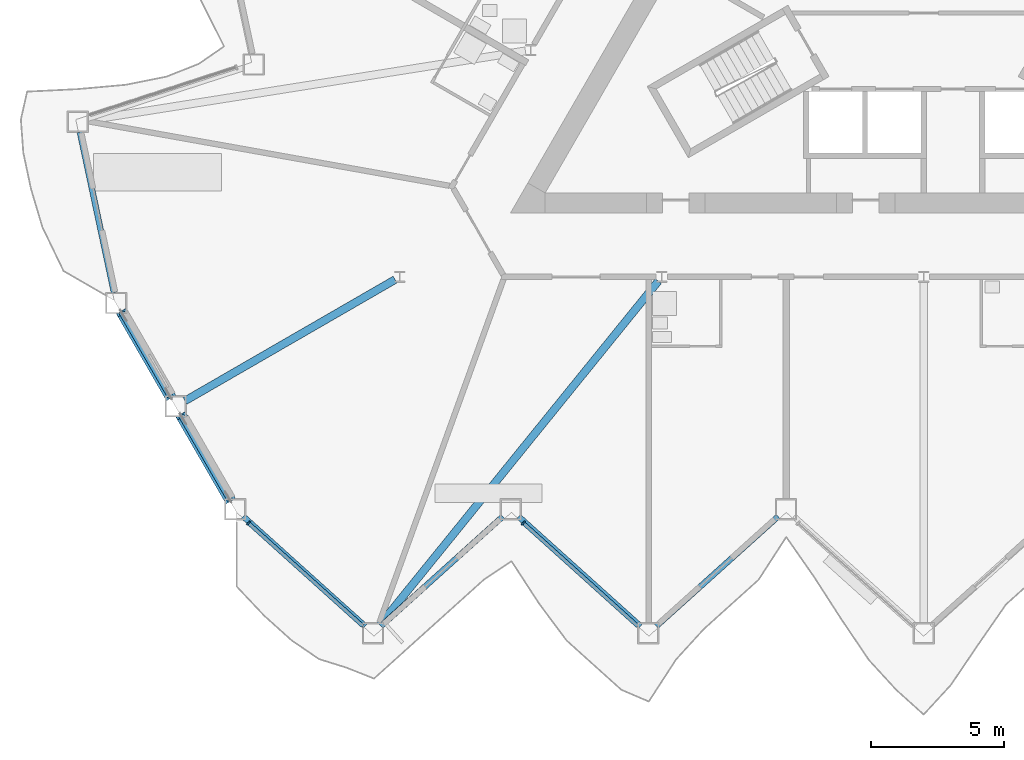
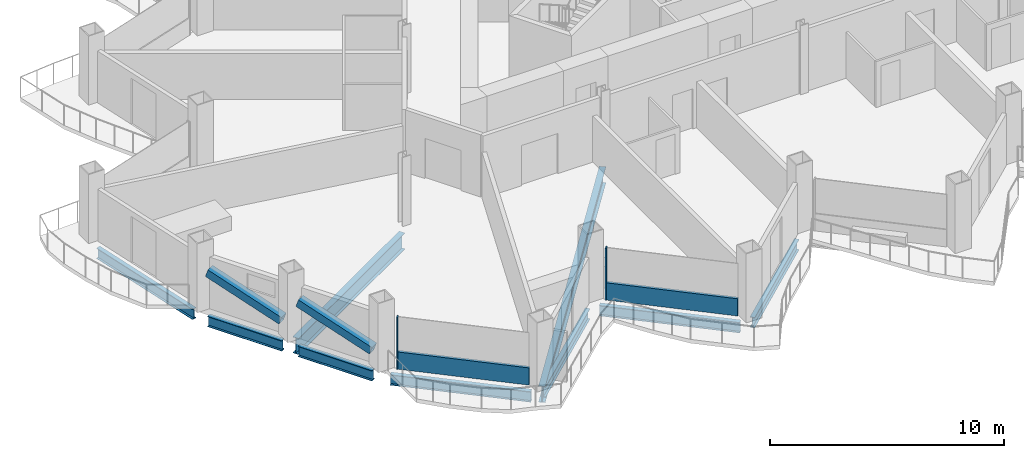
# One storey, part 3 of 23: 9 beams, 6 members, 2 elements without a shape of their own.
"""IFC4 building model written with IfcOpenShell, lengths in metres."""

from ifc_helpers import new_model, si_unit, direction, frame, origin, origin_2d, place, context, subcontext, project, spatial, rectangle, hollow_rectangle, i_section, extrude, material, layer, layer_set, material_profile, profile_set, type_object, element, aggregate, save


model = new_model("IFC4")

# Units and contexts
model_context = context("Model", 3, precision=1e-05, world=origin(), true_north=direction((0.0, 1.0)))
body_context = subcontext(model_context, "Body", "Model", "MODEL_VIEW")
ifc_project = project(units=[si_unit("LENGTHUNIT", "METRE"), si_unit("AREAUNIT", "SQUARE_METRE"), si_unit("VOLUMEUNIT", "CUBIC_METRE"), si_unit("PLANEANGLEUNIT", "RADIAN"), si_unit("MASSUNIT", "GRAM", prefix="KILO")], contexts=[model_context])

# Site, building, storey
site_placement = place(None, origin())
site = spatial("IfcSite", under=ifc_project, at=site_placement, CompositionType="ELEMENT")
building_placement = place(site_placement, origin())
building = spatial("IfcBuilding", under=site, at=building_placement, Name="Cormorant Prow Tower", CompositionType="ELEMENT")
storey_placement = place(building_placement, frame((0.0, 0.0, 212.39990234375)))
storey = spatial("IfcBuildingStorey", under=building, at=storey_placement, Name="L47", CompositionType="ELEMENT", Elevation=212.39990234375)

# Members
ifc_material_1 = material(Name="Structural steel ASTM A500 Gr C", Category="steel")
ifc_material_profile_1 = material_profile(ifc_material_1, hollow_rectangle(XDim=0.406494140625, YDim=0.406494140625, WallThickness=0.01171875, at=origin_2d()), Name="HSS16x16x1/2")
ifc_profile_set_1 = profile_set([ifc_material_profile_1], Name="Structural steel ASTM A500 Gr C")
member_type_1 = type_object("IfcMemberType", Name="Chamfer brace HSS16x16x1/2", PredefinedType="BRACE", material=ifc_profile_set_1)
member_1_placement = place(storey_placement, frame((-28.267333984375, -15.838623046875, 0.740234375), z_axis=(-0.473992878603, 0.821006330213, 0.318244177926), x_axis=(-0.866032413668, -0.499987858329, 0.0)))
element("IfcMember", 1, at=member_1_placement, inside=storey, type_object=member_type_1, Name="Chamfer brace BR2 at WSW00 L47", PredefinedType="BRACE", context=body_context, shape_type="SweptSolid", body=[
    extrude(hollow_rectangle(XDim=0.406494140625, YDim=0.406494140625, WallThickness=0.01171875, at=origin_2d()), origin(), (0.0, 0.0, 1.0), 3.835693359375),
])
member_2_placement = place(storey_placement, frame((-26.0322265625, -19.7099609375, 0.740234375), z_axis=(-0.474017648602, 0.820985582338, 0.318260808783), x_axis=(-0.866015628144, -0.500016931523, 0.0)))
element("IfcMember", 2, at=member_2_placement, inside=storey, type_object=member_type_1, Name="Chamfer brace BR2 at WSW01 L47", PredefinedType="BRACE", context=body_context, shape_type="SweptSolid", body=[
    extrude(hollow_rectangle(XDim=0.406494140625, YDim=0.406494140625, WallThickness=0.01171875, at=origin_2d()), origin(), (0.0, 0.0, 1.0), 3.83544921875),
])

# Curtain wall, member
ifc_material_2 = material(Name="Aluminium 6063-T6", Category="aluminium")
ifc_layer = layer(ifc_material_2, 0.179931640625)
ifc_layer_set = layer_set([ifc_layer], Name="Aluminium 6063-T6")
curtain_wall_type = type_object("IfcCurtainWallType", Name="Hotel unitised curtain wall 180", PredefinedType="NOTDEFINED", material=ifc_layer_set)
curtain_wall_1_placement = place(storey_placement, origin())
curtain_wall_1 = element("IfcCurtainWall", 3, at=curtain_wall_1_placement, inside=storey, type_object=curtain_wall_type, Name="Hotel curtain wall S00", PredefinedType="NOTDEFINED")
ifc_material_3 = material(Name="Aluminium 6063-T6", Category="aluminium")
ifc_material_profile_2 = material_profile(ifc_material_3, rectangle(XDim=0.179931640625, YDim=0.06005859375, at=origin_2d()), Name="Hotel mullion 60x180")
ifc_profile_set_2 = profile_set([ifc_material_profile_2], Name="Aluminium 6063-T6")
member_type_2 = type_object("IfcMemberType", Name="Hotel mullion 60x180", PredefinedType="MULLION", material=ifc_profile_set_2)
member_3_placement = place(storey_placement, frame((-25.333740234375, -20.5849609375, 0.0), z_axis=(0.0, 0.0, 1.0), x_axis=(0.669130701561, 0.743144739757, 0.0)))
member_3 = element("IfcMember", 4, at=member_3_placement, type_object=member_type_2, Name="Hotel mullion S00", PredefinedType="MULLION", context=body_context, shape_type="SweptSolid", body=[
    extrude(rectangle(XDim=0.179931640625, YDim=0.06005859375, at=origin_2d()), origin(), (0.0, 0.0, 1.0), 2.700927734375),
])

curtain_wall_2_placement = place(storey_placement, origin())
curtain_wall_2 = element("IfcCurtainWall", 5, at=curtain_wall_2_placement, inside=storey, type_object=curtain_wall_type, Name="Hotel curtain wall S02", PredefinedType="NOTDEFINED")
member_4_placement = place(storey_placement, frame((-15.0224609375, -20.5849609375, 0.0), z_axis=(0.0, 0.0, 1.0), x_axis=(0.669130629874, 0.743144804304, 0.0)))
member_4 = element("IfcMember", 6, at=member_4_placement, type_object=member_type_2, Name="Hotel mullion S02", PredefinedType="MULLION", context=body_context, shape_type="SweptSolid", body=[
    extrude(rectangle(XDim=0.179931640625, YDim=0.06005859375, at=origin_2d()), origin(), (0.0, 0.0, 1.0), 2.700927734375),
])

# Member
ifc_material_4 = material(Name="Terracotta", Category="masonry")
ifc_material_profile_3 = material_profile(ifc_material_4, rectangle(XDim=0.139892578125, YDim=0.89990234375, at=origin_2d()), Name="Hotel terracotta spandrel rail 140x900")
ifc_profile_set_3 = profile_set([ifc_material_profile_3], Name="Terracotta")
member_type_3 = type_object("IfcMemberType", Name="Hotel terracotta spandrel rail 140x900", PredefinedType="USERDEFINED", material=ifc_profile_set_3)
member_5_placement = place(storey_placement, frame((-25.3115234375, -20.605224609375, 0.4501953125), z_axis=(0.743152468753, -0.669122117543, 0.0), x_axis=(0.669122117543, 0.743152468753, 0.0)))
member_5 = element("IfcMember", 7, at=member_5_placement, type_object=member_type_3, Name="Hotel spandrel rail S00", ObjectType="TRANSOM", PredefinedType="USERDEFINED", context=body_context, shape_type="SweptSolid", body=[
    extrude(rectangle(XDim=0.139892578125, YDim=0.89990234375, at=origin_2d()), origin(), (0.0, 0.0, 1.0), 5.741455078125),
])

aggregate(curtain_wall_1, [member_3, member_5])

member_6_placement = place(storey_placement, frame((-15.000244140625, -20.605224609375, 0.4501953125), z_axis=(0.743152468753, -0.669122117543, 0.0), x_axis=(0.669122117543, 0.743152468753, 0.0)))
member_6 = element("IfcMember", 8, at=member_6_placement, type_object=member_type_3, Name="Hotel spandrel rail S02", ObjectType="TRANSOM", PredefinedType="USERDEFINED", context=body_context, shape_type="SweptSolid", body=[
    extrude(rectangle(XDim=0.139892578125, YDim=0.89990234375, at=origin_2d()), origin(), (0.0, 0.0, 1.0), 5.741455078125),
])

aggregate(curtain_wall_2, [member_4, member_6])

# Beams
ifc_material_5 = material(Name="Structural steel ASTM A992 Gr 50", Category="steel")
ifc_material_profile_4 = material_profile(ifc_material_5, i_section(OverallWidth=0.29296875, OverallDepth=0.845703125, WebThickness=0.015380859375, FlangeThickness=0.0244140625, at=origin_2d()), Name="W33x141")
ifc_profile_set_4 = profile_set([ifc_material_profile_4], Name="Structural steel ASTM A992 Gr 50")
beam_type_1 = type_object("IfcBeamType", Name="Radial floor beam W33x141", PredefinedType="BEAM", material=ifc_profile_set_4)
beam_1_placement = place(storey_placement, frame((-19.833251953125, -11.45068359375, -0.772705078125), z_axis=(-0.866023373109, -0.500003517217, 0.0), x_axis=(0.500003517217, -0.866023373109, 0.0)))
element("IfcBeam", 9, at=beam_1_placement, inside=storey, type_object=beam_type_1, Name="Radial floor beam FB2 5 L47", PredefinedType="BEAM", context=body_context, shape_type="SweptSolid", body=[
    extrude(i_section(OverallWidth=0.29296875, OverallDepth=0.845703125, WebThickness=0.015380859375, FlangeThickness=0.0244140625, at=origin_2d()), origin(), (0.0, 0.0, 1.0), 9.09814453125),
])
beam_2_placement = place(storey_placement, frame((-9.95654296875, -11.50732421875, -0.772705078125), z_axis=(-0.629385162657, -0.777093505974, 0.0), x_axis=(0.777093505974, -0.629385162657, 0.0)))
element("IfcBeam", 10, at=beam_2_placement, inside=storey, type_object=beam_type_1, Name="Radial floor beam FB2 6 L47", PredefinedType="BEAM", context=body_context, shape_type="SweptSolid", body=[
    extrude(i_section(OverallWidth=0.29296875, OverallDepth=0.845703125, WebThickness=0.015380859375, FlangeThickness=0.0244140625, at=origin_2d()), origin(), (0.0, 0.0, 1.0), 16.6044921875),
])
ifc_material_6 = material(Name="Structural steel ASTM A992 Gr 50", Category="steel")
ifc_material_profile_5 = material_profile(ifc_material_6, i_section(OverallWidth=0.2138671875, OverallDepth=0.549072265625, WebThickness=0.0146484375, FlangeThickness=0.023681640625, at=origin_2d()), Name="W21x93")
ifc_profile_set_5 = profile_set([ifc_material_profile_5], Name="Structural steel ASTM A992 Gr 50")
beam_type_2 = type_object("IfcBeamType", Name="Spandrel beam W21x93", PredefinedType="SPANDREL", material=ifc_profile_set_5)
beam_3_placement = place(storey_placement, frame((-25.5263671875, -20.3388671875, -0.62451171875), z_axis=(0.743155953285, -0.669118247469, 0.0), x_axis=(0.669118247469, 0.743155953285, 0.0)))
element("IfcBeam", 11, at=beam_3_placement, inside=storey, type_object=beam_type_2, Name="Spandrel beam SB2 S00-S01 L47", PredefinedType="SPANDREL", context=body_context, shape_type="SweptSolid", body=[
    extrude(i_section(OverallWidth=0.2138671875, OverallDepth=0.549072265625, WebThickness=0.0146484375, FlangeThickness=0.023681640625, at=origin_2d()), origin(), (0.0, 0.0, 1.0), 6.14990234375),
])
for number, where, z_axis, x_axis, name in (
    (12, (-20.361572265625, -24.453857421875, -0.62451171875), (0.743138178716, 0.669137988261, 0.0), (-0.669137988261, 0.743138178716, 0.0), "Spandrel beam SB2 S01-S02 L47"),
    (13, (-15.19677734375, -20.3388671875, -0.62451171875), (0.743138178716, -0.669137988261, 0.0), (0.669137988261, 0.743138178716, 0.0), "Spandrel beam SB2 S02-S03 L47"),
):
    element("IfcBeam", number, at=place(storey_placement, frame(where, z_axis=z_axis, x_axis=x_axis)), inside=storey, type_object=beam_type_2, Name=name, PredefinedType="SPANDREL", context=body_context, shape_type="SweptSolid", body=[
        extrude(i_section(OverallWidth=0.2138671875, OverallDepth=0.549072265625, WebThickness=0.0146484375, FlangeThickness=0.023681640625, at=origin_2d()), origin(), (0.0, 0.0, 1.0), 6.149658203125),
    ])
beam_4_placement = place(storey_placement, frame((-10.0322265625, -24.453857421875, -0.62451171875), z_axis=(0.743155953285, 0.669118247469, 0.0), x_axis=(-0.669118247469, 0.743155953285, 0.0)))
element("IfcBeam", 14, at=beam_4_placement, inside=storey, type_object=beam_type_2, Name="Spandrel beam SB2 S03-S04 L47", PredefinedType="SPANDREL", context=body_context, shape_type="SweptSolid", body=[
    extrude(i_section(OverallWidth=0.2138671875, OverallDepth=0.549072265625, WebThickness=0.0146484375, FlangeThickness=0.023681640625, at=origin_2d()), origin(), (0.0, 0.0, 1.0), 6.14990234375),
])
beam_5_placement = place(storey_placement, frame((-31.65576171875, -5.921630859375, -0.62451171875), z_axis=(0.207904811195, -0.978149063018, 0.0), x_axis=(0.978149063018, 0.207904811195, 0.0)))
element("IfcBeam", 15, at=beam_5_placement, inside=storey, type_object=beam_type_2, Name="Spandrel beam SB2 WNW09-WSW00 L47", PredefinedType="SPANDREL", context=body_context, shape_type="SweptSolid", body=[
    extrude(i_section(OverallWidth=0.2138671875, OverallDepth=0.549072265625, WebThickness=0.0146484375, FlangeThickness=0.023681640625, at=origin_2d()), origin(), (0.0, 0.0, 1.0), 6.149658203125),
])
for number, where, z_axis, x_axis, name in (
    (16, (-30.093994140625, -12.674560546875, -0.62451171875), (0.499994986164, -0.866028298505, 0.0), (0.866028298505, 0.499994986164, 0.0), "Spandrel beam SB2 WSW00-WSW01 L47"),
    (17, (-27.85888671875, -16.546142578125, -0.62451171875), (0.499994986164, -0.866028298505, 0.0), (0.866028298505, 0.499994986164, 0.0), "Spandrel beam SB2 WSW01-S00 L47"),
):
    element("IfcBeam", number, at=place(storey_placement, frame(where, z_axis=z_axis, x_axis=x_axis)), inside=storey, type_object=beam_type_2, Name=name, PredefinedType="SPANDREL", context=body_context, shape_type="SweptSolid", body=[
        extrude(i_section(OverallWidth=0.2138671875, OverallDepth=0.549072265625, WebThickness=0.0146484375, FlangeThickness=0.023681640625, at=origin_2d()), origin(), (0.0, 0.0, 1.0), 3.67041015625),
    ])

save(model, "model.ifc")
